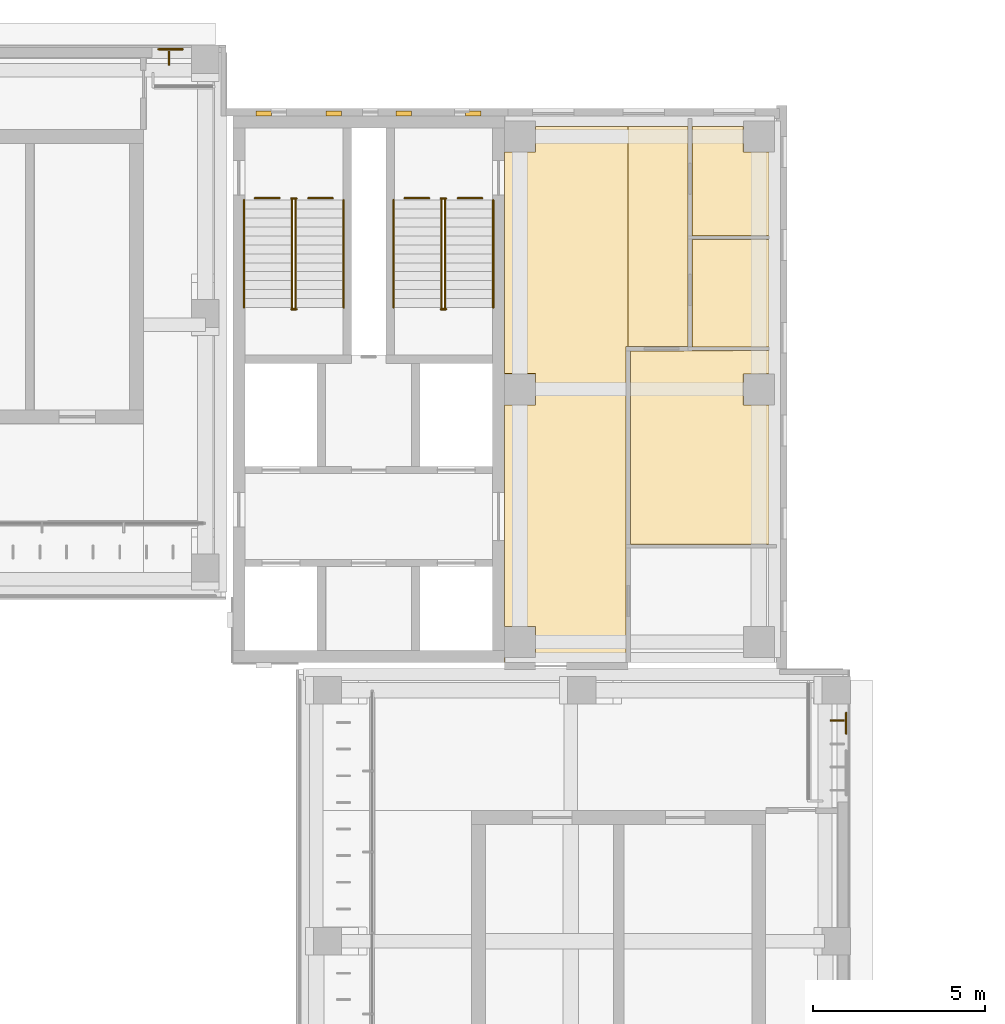
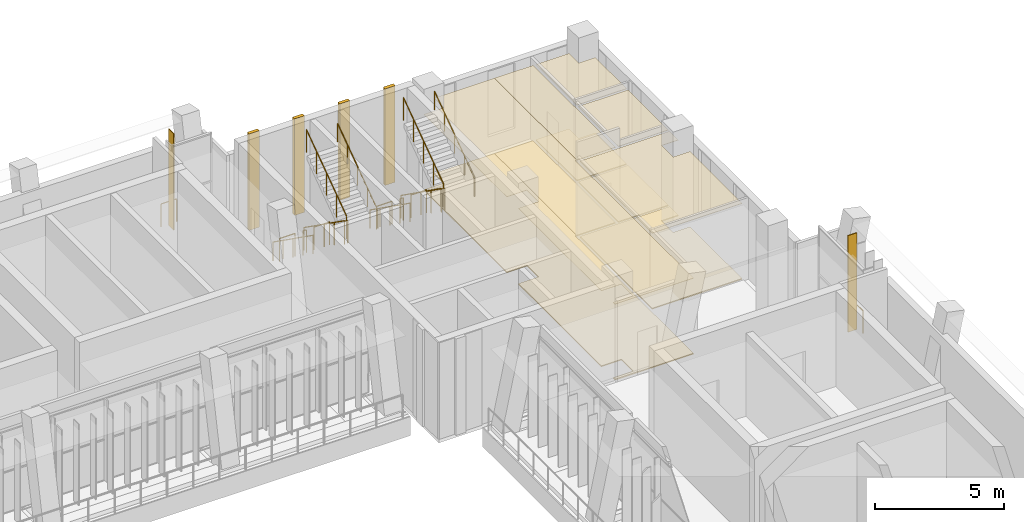
# One storey, part 141 of 141: 18 railings, 14 coverings, 2 shading devices.
"""IFC4 building model written with IfcOpenShell, lengths in metres."""

from ifc_helpers import new_model, si_unit, direction, frame, frame_2d, origin, origin_2d, place, context, subcontext, project, spatial, polyline, rectangle, circle, outline, extrude, material, layer, layer_set, type_object, element, save


model = new_model("IFC4")

# Units and contexts
model_context = context("Model", 3, precision=1e-05, world=origin(), true_north=direction((0.0, 1.0)))
body_context = subcontext(model_context, "Body", "Model", "MODEL_VIEW")
ifc_project = project(units=[si_unit("LENGTHUNIT", "METRE"), si_unit("AREAUNIT", "SQUARE_METRE"), si_unit("VOLUMEUNIT", "CUBIC_METRE"), si_unit("PLANEANGLEUNIT", "RADIAN"), si_unit("MASSUNIT", "GRAM", prefix="KILO")], contexts=[model_context])

# Site, building, storey
site_placement = place(None, origin())
site = spatial("IfcSite", under=ifc_project, at=site_placement, CompositionType="ELEMENT")
building_placement = place(site_placement, origin())
building = spatial("IfcBuilding", under=site, at=building_placement, Name="Lantern Court Media Centre", CompositionType="ELEMENT")
storey_placement = place(building_placement, frame((0.0, 0.0, 9.60009765625)))
storey = spatial("IfcBuildingStorey", under=building, at=storey_placement, Name="L02", CompositionType="ELEMENT", Elevation=9.60009765625)

# Coverings
ifc_material_1 = material(Name="Carpet")
ifc_layer_1 = layer(ifc_material_1, 0.050048828125)
ifc_layer_set_1 = layer_set([ifc_layer_1], Name="Carpet")
covering_type_1 = type_object("IfcCoveringType", Name="Carpet floor finish", PredefinedType="FLOORING", material=ifc_layer_set_1)
covering_1_placement = place(storey_placement, origin())
element("IfcCovering", 1, at=covering_1_placement, inside=storey, type_object=covering_type_1, Name="Broadcast Programming Office 03 floor finish", PredefinedType="FLOORING", context=body_context, shape_type="SweptSolid", body=[
    extrude(outline(polyline([(95.699951171875, 99.5458984375), (91.66748046875, 99.5458984375), (91.66748046875, 105.16259765625), (95.699951171875, 105.175048828125), (95.699951171875, 104.5048828125), (94.945068359375, 104.5), (94.946044921875, 103.596923828125), (95.699951171875, 103.594970703125), (95.699951171875, 99.5458984375)])), origin(), (0.0, 0.0, 1.0), 0.0498046875),
])
covering_2_placement = place(storey_placement, origin())
element("IfcCovering", 2, at=covering_2_placement, inside=storey, type_object=covering_type_1, Name="WC Male floor finish", PredefinedType="FLOORING", context=body_context, shape_type="SweptSolid", body=[
    extrude(outline(polyline([(95.699951171875, 108.52001953125), (93.467529296875, 108.52001953125), (93.467529296875, 111.699951171875), (94.945068359375, 111.699951171875), (94.946533203125, 110.946533203125), (95.699951171875, 110.945068359375), (95.699951171875, 108.52001953125)])), origin(), (0.0, 0.0, 1.0), 0.0498046875),
])
covering_3_placement = place(storey_placement, origin())
element("IfcCovering", 3, at=covering_3_placement, inside=storey, type_object=covering_type_1, Name="WC Female floor finish", PredefinedType="FLOORING", context=body_context, shape_type="SweptSolid", body=[
    extrude(outline(polyline([(95.699951171875, 105.284912109375), (93.467529296875, 105.284912109375), (93.467529296875, 108.409912109375), (95.699951171875, 108.409912109375), (95.699951171875, 105.284912109375)])), origin(), (0.0, 0.0, 1.0), 0.0498046875),
])

# Railings
ifc_material_2 = material(Name="Powder-coated steel", Category="steel")
railing_type_1 = type_object("IfcRailingType", Name="Floor edge guard 1100", PredefinedType="GUARDRAIL", material=ifc_material_2)
railing_1_placement = place(storey_placement, frame((85.10009765625, 109.609619140625, 0.0)))
element("IfcRailing", 4, at=railing_1_placement, inside=storey, type_object=railing_type_1, Name="L02 opening guard 77", PredefinedType="GUARDRAIL", context=body_context, shape_type="SweptSolid", body=[
    extrude(circle(Radius=0.02392578125, at=origin_2d()), frame((0.0, 0.0, 1.076171875), z_axis=(1.0, 0.0, 0.0), x_axis=(0.0, 1.0, 0.0)), (0.0, 0.0, 1.0), 0.70361328125),
    extrude(circle(Radius=0.02099609375, at=origin_2d()), origin(), (0.0, 0.0, 1.0), 1.052001953125),
    extrude(circle(Radius=0.02099609375, at=origin_2d()), frame((0.70361328125, 0.0, 0.0)), (0.0, 0.0, 1.0), 1.052001953125),
])
railing_2_placement = place(storey_placement, frame((86.646240234375, 109.609619140625, 0.0)))
element("IfcRailing", 5, at=railing_2_placement, inside=storey, type_object=railing_type_1, Name="L02 opening guard 78", PredefinedType="GUARDRAIL", context=body_context, shape_type="SweptSolid", body=[
    extrude(circle(Radius=0.02392578125, at=origin_2d()), frame((0.0, 0.0, 1.076171875), z_axis=(1.0, 0.0, 0.0), x_axis=(0.0, 1.0, 0.0)), (0.0, 0.0, 1.0), 0.703857421875),
    extrude(circle(Radius=0.02099609375, at=origin_2d()), origin(), (0.0, 0.0, 1.0), 1.052001953125),
    extrude(circle(Radius=0.02099609375, at=origin_2d()), frame((0.703857421875, 0.0, 0.0)), (0.0, 0.0, 1.0), 1.052001953125),
])
for number, where, name in (
    (6, (80.75, 109.609619140625, 0.0), "L02 opening guard 79"),
    (7, (82.29638671875, 109.609619140625, 0.0), "L02 opening guard 80"),
):
    element("IfcRailing", number, at=place(storey_placement, frame(where)), inside=storey, type_object=railing_type_1, Name=name, PredefinedType="GUARDRAIL", context=body_context, shape_type="SweptSolid", body=[
        extrude(circle(Radius=0.02392578125, at=origin_2d()), frame((0.0, 0.0, 1.076171875), z_axis=(1.0, 0.0, 0.0), x_axis=(0.0, 1.0, 0.0)), (0.0, 0.0, 1.0), 0.70361328125),
        extrude(circle(Radius=0.02099609375, at=origin_2d()), origin(), (0.0, 0.0, 1.0), 1.052001953125),
        extrude(circle(Radius=0.02099609375, at=origin_2d()), frame((0.70361328125, 0.0, 0.0)), (0.0, 0.0, 1.0), 1.052001953125),
    ])
railing_3_placement = place(storey_placement, frame((77.94091796875, 113.93994140625, 0.0)))
element("IfcRailing", 8, at=railing_3_placement, inside=storey, type_object=railing_type_1, Name="L02 edge guard 57", PredefinedType="GUARDRAIL", context=body_context, shape_type="SweptSolid", body=[
    extrude(circle(Radius=0.02392578125, at=origin_2d()), frame((0.0, 0.0, 1.076171875), z_axis=(1.0, 0.0, 0.0), x_axis=(0.0, 1.0, 0.0)), (0.0, 0.0, 1.0), 0.7001953125),
    extrude(circle(Radius=0.02099609375, at=origin_2d()), origin(), (0.0, 0.0, 1.0), 1.052001953125),
    extrude(circle(Radius=0.02099609375, at=origin_2d()), frame((0.7001953125, 0.0, 0.0)), (0.0, 0.0, 1.0), 1.052001953125),
])
railing_4_placement = place(storey_placement, frame((97.93994140625, 94.64111328125, 0.0)))
element("IfcRailing", 9, at=railing_4_placement, inside=storey, type_object=railing_type_1, Name="L02 edge guard 64", PredefinedType="GUARDRAIL", context=body_context, shape_type="SweptSolid", body=[
    extrude(circle(Radius=0.02392578125, at=origin_2d()), frame((0.0, 0.0, 1.076171875), z_axis=(0.0, -1.0, 0.0), x_axis=(1.0, 0.0, 0.0)), (0.0, 0.0, 1.0), 0.60009765625),
    extrude(circle(Radius=0.02099609375, at=origin_2d()), origin(), (0.0, 0.0, 1.0), 1.052001953125),
    extrude(circle(Radius=0.02099609375, at=origin_2d()), frame((0.0, -0.60009765625, 0.0)), (0.0, 0.0, 1.0), 1.052001953125),
])

# Coverings
ifc_material_3 = material(Name="Honed limestone cladding", Category="masonry")
ifc_layer_2 = layer(ifc_material_3, 0.14990234375)
ifc_layer_set_2 = layer_set([ifc_layer_2], Name="Honed limestone cladding")
covering_type_2 = type_object("IfcCoveringType", Name="Limestone pilaster cladding 150", PredefinedType="CLADDING", material=ifc_layer_set_2)
covering_4_placement = place(storey_placement, frame((80.77490234375, 112.074951171875, 0.0), z_axis=(0.0, 0.0, 1.0), x_axis=(1.0, 0.0, 0.0)))
element("IfcCovering", 10, at=covering_4_placement, inside=storey, type_object=covering_type_2, Name="Limestone pilaster rib", PredefinedType="CLADDING", context=body_context, shape_type="SweptSolid", body=[
    extrude(rectangle(XDim=0.4501953125, YDim=0.14990234375, at=frame_2d((0.22509765625, 0.0))), origin(), (0.0, 0.0, 1.0), 4.579833984375),
])
covering_5_placement = place(storey_placement, frame((82.808349609375, 112.074951171875, 0.0), z_axis=(0.0, 0.0, 1.0), x_axis=(1.0, 0.0, 0.0)))
element("IfcCovering", 11, at=covering_5_placement, inside=storey, type_object=covering_type_2, Name="Limestone pilaster rib", PredefinedType="CLADDING", context=body_context, shape_type="SweptSolid", body=[
    extrude(rectangle(XDim=0.449951171875, YDim=0.14990234375, at=frame_2d((0.22509765625, 0.0))), origin(), (0.0, 0.0, 1.0), 4.579833984375),
])
covering_6_placement = place(storey_placement, frame((84.841552734375, 112.074951171875, 0.0), z_axis=(0.0, 0.0, 1.0), x_axis=(1.0, 0.0, 0.0)))
element("IfcCovering", 12, at=covering_6_placement, inside=storey, type_object=covering_type_2, Name="Limestone pilaster rib", PredefinedType="CLADDING", context=body_context, shape_type="SweptSolid", body=[
    extrude(rectangle(XDim=0.4501953125, YDim=0.14990234375, at=frame_2d((0.22509765625, 0.0))), origin(), (0.0, 0.0, 1.0), 4.579833984375),
])
covering_7_placement = place(storey_placement, frame((86.875, 112.074951171875, 0.0), z_axis=(0.0, 0.0, 1.0), x_axis=(1.0, 0.0, 0.0)))
element("IfcCovering", 13, at=covering_7_placement, inside=storey, type_object=covering_type_2, Name="Limestone pilaster rib", PredefinedType="CLADDING", context=body_context, shape_type="SweptSolid", body=[
    extrude(rectangle(XDim=0.449951171875, YDim=0.14990234375, at=frame_2d((0.22509765625, 0.0))), origin(), (0.0, 0.0, 1.0), 4.579833984375),
])

# Railings
railing_type_2 = type_object("IfcRailingType", Name="Stair guard 1100", PredefinedType="GUARDRAIL", material=ifc_material_2)
railing_5_placement = place(storey_placement, frame((86.174072265625, 109.550048828125, 0.1845703125)))
element("IfcRailing", 14, at=railing_5_placement, inside=storey, type_object=railing_type_2, Name="L02 ST-NEA stair guard 1", PredefinedType="GUARDRAIL", context=body_context, shape_type="SweptSolid", body=[
    extrude(circle(Radius=0.02392578125, at=origin_2d()), frame((0.0, 0.0, 1.076171875), z_axis=(0.0, -0.815376961211, 0.578930402662), x_axis=(1.0, 0.0, 0.0)), (0.0, 0.0, 1.0), 3.82666015625),
    extrude(circle(Radius=0.02099609375, at=origin_2d()), origin(), (0.0, 0.0, 1.0), 1.052001953125),
    extrude(circle(Radius=0.02099609375, at=origin_2d()), frame((0.0, -0.780029296875, 0.5537109375)), (0.0, 0.0, 1.0), 1.052001953125),
    extrude(circle(Radius=0.02099609375, at=origin_2d()), frame((0.0, -1.56005859375, 1.107666015625)), (0.0, 0.0, 1.0), 1.052001953125),
    extrude(circle(Radius=0.02099609375, at=origin_2d()), frame((0.0, -2.340087890625, 1.66162109375)), (0.0, 0.0, 1.0), 1.052001953125),
    extrude(circle(Radius=0.02099609375, at=origin_2d()), frame((0.0, -3.1201171875, 2.21533203125)), (0.0, 0.0, 1.0), 1.052001953125),
])
railing_6_placement = place(storey_placement, frame((86.14990234375, 106.3798828125, 2.39990234375)))
element("IfcRailing", 15, at=railing_6_placement, inside=storey, type_object=railing_type_2, Name="L02 ST-NEA stair guard 2", PredefinedType="GUARDRAIL", context=body_context, shape_type="SweptSolid", body=[
    extrude(circle(Radius=0.02392578125, at=origin_2d()), frame((0.0, 0.0, 1.076171875), z_axis=(1.0, 0.0, 0.0), x_axis=(0.0, 1.0, 0.0)), (0.0, 0.0, 1.0), 0.150146484375),
    extrude(circle(Radius=0.02099609375, at=origin_2d()), origin(), (0.0, 0.0, 1.0), 1.052001953125),
    extrude(circle(Radius=0.02099609375, at=origin_2d()), frame((0.150146484375, 0.0, 0.0)), (0.0, 0.0, 1.0), 1.052001953125),
])
railing_7_placement = place(storey_placement, frame((86.27587890625, 106.429931640625, 2.58447265625)))
element("IfcRailing", 16, at=railing_7_placement, inside=storey, type_object=railing_type_2, Name="L02 ST-NEA stair guard 3", PredefinedType="GUARDRAIL", context=body_context, shape_type="SweptSolid", body=[
    extrude(circle(Radius=0.02392578125, at=origin_2d()), frame((0.0, 0.0, 1.076171875), z_axis=(0.0, 0.815376961211, 0.578930402662), x_axis=(-1.0, 0.0, 0.0)), (0.0, 0.0, 1.0), 3.82666015625),
    extrude(circle(Radius=0.02099609375, at=origin_2d()), origin(), (0.0, 0.0, 1.0), 1.052001953125),
    extrude(circle(Radius=0.02099609375, at=origin_2d()), frame((0.0, 0.780029296875, 0.5537109375)), (0.0, 0.0, 1.0), 1.052001953125),
    extrude(circle(Radius=0.02099609375, at=origin_2d()), frame((0.0, 1.56005859375, 1.107666015625)), (0.0, 0.0, 1.0), 1.052001953125),
    extrude(circle(Radius=0.02099609375, at=origin_2d()), frame((0.0, 2.340087890625, 1.66162109375)), (0.0, 0.0, 1.0), 1.052001953125),
    extrude(circle(Radius=0.02099609375, at=origin_2d()), frame((0.0, 3.1201171875, 2.21533203125)), (0.0, 0.0, 1.0), 1.052001953125),
])
railing_8_placement = place(storey_placement, frame((86.14990234375, 109.60009765625, 0.0)))
element("IfcRailing", 17, at=railing_8_placement, inside=storey, type_object=railing_type_2, Name="L02 ST-NEA stair guard 4", PredefinedType="GUARDRAIL", context=body_context, shape_type="SweptSolid", body=[
    extrude(circle(Radius=0.02392578125, at=origin_2d()), frame((0.0, 0.0, 1.076171875), z_axis=(1.0, 0.0, 0.0), x_axis=(0.0, 1.0, 0.0)), (0.0, 0.0, 1.0), 0.150146484375),
    extrude(circle(Radius=0.02099609375, at=origin_2d()), origin(), (0.0, 0.0, 1.0), 1.052001953125),
    extrude(circle(Radius=0.02099609375, at=origin_2d()), frame((0.150146484375, 0.0, 0.0)), (0.0, 0.0, 1.0), 1.052001953125),
])
railing_9_placement = place(storey_placement, frame((81.823974609375, 109.550048828125, 0.1845703125)))
element("IfcRailing", 18, at=railing_9_placement, inside=storey, type_object=railing_type_2, Name="L02 ST-NEB stair guard 1", PredefinedType="GUARDRAIL", context=body_context, shape_type="SweptSolid", body=[
    extrude(circle(Radius=0.02392578125, at=origin_2d()), frame((0.0, 0.0, 1.076171875), z_axis=(0.0, -0.815376961211, 0.578930402662), x_axis=(1.0, 0.0, 0.0)), (0.0, 0.0, 1.0), 3.82666015625),
    extrude(circle(Radius=0.02099609375, at=origin_2d()), origin(), (0.0, 0.0, 1.0), 1.052001953125),
    extrude(circle(Radius=0.02099609375, at=origin_2d()), frame((0.0, -0.780029296875, 0.5537109375)), (0.0, 0.0, 1.0), 1.052001953125),
    extrude(circle(Radius=0.02099609375, at=origin_2d()), frame((0.0, -1.56005859375, 1.107666015625)), (0.0, 0.0, 1.0), 1.052001953125),
    extrude(circle(Radius=0.02099609375, at=origin_2d()), frame((0.0, -2.340087890625, 1.66162109375)), (0.0, 0.0, 1.0), 1.052001953125),
    extrude(circle(Radius=0.02099609375, at=origin_2d()), frame((0.0, -3.1201171875, 2.21533203125)), (0.0, 0.0, 1.0), 1.052001953125),
])
railing_10_placement = place(storey_placement, frame((81.800048828125, 106.3798828125, 2.39990234375)))
element("IfcRailing", 19, at=railing_10_placement, inside=storey, type_object=railing_type_2, Name="L02 ST-NEB stair guard 2", PredefinedType="GUARDRAIL", context=body_context, shape_type="SweptSolid", body=[
    extrude(circle(Radius=0.02392578125, at=origin_2d()), frame((0.0, 0.0, 1.076171875), z_axis=(1.0, 0.0, 0.0), x_axis=(0.0, 1.0, 0.0)), (0.0, 0.0, 1.0), 0.14990234375),
    extrude(circle(Radius=0.02099609375, at=origin_2d()), origin(), (0.0, 0.0, 1.0), 1.052001953125),
    extrude(circle(Radius=0.02099609375, at=origin_2d()), frame((0.14990234375, 0.0, 0.0)), (0.0, 0.0, 1.0), 1.052001953125),
])
railing_11_placement = place(storey_placement, frame((81.926025390625, 106.429931640625, 2.58447265625)))
element("IfcRailing", 20, at=railing_11_placement, inside=storey, type_object=railing_type_2, Name="L02 ST-NEB stair guard 3", PredefinedType="GUARDRAIL", context=body_context, shape_type="SweptSolid", body=[
    extrude(circle(Radius=0.02392578125, at=origin_2d()), frame((0.0, 0.0, 1.076171875), z_axis=(0.0, 0.815376961211, 0.578930402662), x_axis=(-1.0, 0.0, 0.0)), (0.0, 0.0, 1.0), 3.82666015625),
    extrude(circle(Radius=0.02099609375, at=origin_2d()), origin(), (0.0, 0.0, 1.0), 1.052001953125),
    extrude(circle(Radius=0.02099609375, at=origin_2d()), frame((0.0, 0.780029296875, 0.5537109375)), (0.0, 0.0, 1.0), 1.052001953125),
    extrude(circle(Radius=0.02099609375, at=origin_2d()), frame((0.0, 1.56005859375, 1.107666015625)), (0.0, 0.0, 1.0), 1.052001953125),
    extrude(circle(Radius=0.02099609375, at=origin_2d()), frame((0.0, 2.340087890625, 1.66162109375)), (0.0, 0.0, 1.0), 1.052001953125),
    extrude(circle(Radius=0.02099609375, at=origin_2d()), frame((0.0, 3.1201171875, 2.21533203125)), (0.0, 0.0, 1.0), 1.052001953125),
])
railing_12_placement = place(storey_placement, frame((81.800048828125, 109.60009765625, 0.0)))
element("IfcRailing", 21, at=railing_12_placement, inside=storey, type_object=railing_type_2, Name="L02 ST-NEB stair guard 4", PredefinedType="GUARDRAIL", context=body_context, shape_type="SweptSolid", body=[
    extrude(circle(Radius=0.02392578125, at=origin_2d()), frame((0.0, 0.0, 1.076171875), z_axis=(1.0, 0.0, 0.0), x_axis=(0.0, 1.0, 0.0)), (0.0, 0.0, 1.0), 0.14990234375),
    extrude(circle(Radius=0.02099609375, at=origin_2d()), origin(), (0.0, 0.0, 1.0), 1.052001953125),
    extrude(circle(Radius=0.02099609375, at=origin_2d()), frame((0.14990234375, 0.0, 0.0)), (0.0, 0.0, 1.0), 1.052001953125),
])
railing_type_3 = type_object("IfcRailingType", Name="Stair handrail 900", PredefinedType="HANDRAIL", material=ifc_material_2)
railing_13_placement = place(storey_placement, frame((84.77587890625, 109.550048828125, 0.1845703125)))
element("IfcRailing", 22, at=railing_13_placement, inside=storey, type_object=railing_type_3, Name="L02 ST-NEA stair handrail 1", PredefinedType="HANDRAIL", context=body_context, shape_type="SweptSolid", body=[
    extrude(circle(Radius=0.02392578125, at=origin_2d()), frame((0.0, 0.0, 0.8759765625), z_axis=(0.0, -0.815376961211, 0.578930402662), x_axis=(1.0, 0.0, 0.0)), (0.0, 0.0, 1.0), 3.82666015625),
    extrude(circle(Radius=0.02099609375, at=origin_2d()), origin(), (0.0, 0.0, 1.0), 0.851806640625),
    extrude(circle(Radius=0.02099609375, at=origin_2d()), frame((0.0, -0.780029296875, 0.5537109375)), (0.0, 0.0, 1.0), 0.851806640625),
    extrude(circle(Radius=0.02099609375, at=origin_2d()), frame((0.0, -1.56005859375, 1.107666015625)), (0.0, 0.0, 1.0), 0.851806640625),
    extrude(circle(Radius=0.02099609375, at=origin_2d()), frame((0.0, -2.340087890625, 1.66162109375)), (0.0, 0.0, 1.0), 0.851806640625),
    extrude(circle(Radius=0.02099609375, at=origin_2d()), frame((0.0, -3.1201171875, 2.21533203125)), (0.0, 0.0, 1.0), 0.851806640625),
])
railing_14_placement = place(storey_placement, frame((87.674072265625, 106.429931640625, 2.58447265625)))
element("IfcRailing", 23, at=railing_14_placement, inside=storey, type_object=railing_type_3, Name="L02 ST-NEA stair handrail 2", PredefinedType="HANDRAIL", context=body_context, shape_type="SweptSolid", body=[
    extrude(circle(Radius=0.02392578125, at=origin_2d()), frame((0.0, 0.0, 0.8759765625), z_axis=(0.0, 0.815376961211, 0.578930402662), x_axis=(-1.0, 0.0, 0.0)), (0.0, 0.0, 1.0), 3.82666015625),
    extrude(circle(Radius=0.02099609375, at=origin_2d()), origin(), (0.0, 0.0, 1.0), 0.851806640625),
    extrude(circle(Radius=0.02099609375, at=origin_2d()), frame((0.0, 0.780029296875, 0.5537109375)), (0.0, 0.0, 1.0), 0.851806640625),
    extrude(circle(Radius=0.02099609375, at=origin_2d()), frame((0.0, 1.56005859375, 1.107666015625)), (0.0, 0.0, 1.0), 0.851806640625),
    extrude(circle(Radius=0.02099609375, at=origin_2d()), frame((0.0, 2.340087890625, 1.66162109375)), (0.0, 0.0, 1.0), 0.851806640625),
    extrude(circle(Radius=0.02099609375, at=origin_2d()), frame((0.0, 3.1201171875, 2.21533203125)), (0.0, 0.0, 1.0), 0.851806640625),
])
railing_15_placement = place(storey_placement, frame((80.426025390625, 109.550048828125, 0.1845703125)))
element("IfcRailing", 24, at=railing_15_placement, inside=storey, type_object=railing_type_3, Name="L02 ST-NEB stair handrail 1", PredefinedType="HANDRAIL", context=body_context, shape_type="SweptSolid", body=[
    extrude(circle(Radius=0.02392578125, at=origin_2d()), frame((0.0, 0.0, 0.8759765625), z_axis=(0.0, -0.815376961211, 0.578930402662), x_axis=(1.0, 0.0, 0.0)), (0.0, 0.0, 1.0), 3.82666015625),
    extrude(circle(Radius=0.02099609375, at=origin_2d()), origin(), (0.0, 0.0, 1.0), 0.851806640625),
    extrude(circle(Radius=0.02099609375, at=origin_2d()), frame((0.0, -0.780029296875, 0.5537109375)), (0.0, 0.0, 1.0), 0.851806640625),
    extrude(circle(Radius=0.02099609375, at=origin_2d()), frame((0.0, -1.56005859375, 1.107666015625)), (0.0, 0.0, 1.0), 0.851806640625),
    extrude(circle(Radius=0.02099609375, at=origin_2d()), frame((0.0, -2.340087890625, 1.66162109375)), (0.0, 0.0, 1.0), 0.851806640625),
    extrude(circle(Radius=0.02099609375, at=origin_2d()), frame((0.0, -3.1201171875, 2.21533203125)), (0.0, 0.0, 1.0), 0.851806640625),
])
railing_16_placement = place(storey_placement, frame((83.323974609375, 106.429931640625, 2.58447265625)))
element("IfcRailing", 25, at=railing_16_placement, inside=storey, type_object=railing_type_3, Name="L02 ST-NEB stair handrail 2", PredefinedType="HANDRAIL", context=body_context, shape_type="SweptSolid", body=[
    extrude(circle(Radius=0.02392578125, at=origin_2d()), frame((0.0, 0.0, 0.8759765625), z_axis=(0.0, 0.815376961211, 0.578930402662), x_axis=(-1.0, 0.0, 0.0)), (0.0, 0.0, 1.0), 3.82666015625),
    extrude(circle(Radius=0.02099609375, at=origin_2d()), origin(), (0.0, 0.0, 1.0), 0.851806640625),
    extrude(circle(Radius=0.02099609375, at=origin_2d()), frame((0.0, 0.780029296875, 0.5537109375)), (0.0, 0.0, 1.0), 0.851806640625),
    extrude(circle(Radius=0.02099609375, at=origin_2d()), frame((0.0, 1.56005859375, 1.107666015625)), (0.0, 0.0, 1.0), 0.851806640625),
    extrude(circle(Radius=0.02099609375, at=origin_2d()), frame((0.0, 2.340087890625, 1.66162109375)), (0.0, 0.0, 1.0), 0.851806640625),
    extrude(circle(Radius=0.02099609375, at=origin_2d()), frame((0.0, 3.1201171875, 2.21533203125)), (0.0, 0.0, 1.0), 0.851806640625),
])

# Coverings
ifc_material_4 = material(Name="Mineral fibre ceiling tile")
ifc_layer_3 = layer(ifc_material_4, 0.02001953125)
ifc_layer_set_3 = layer_set([ifc_layer_3], Name="Mineral fibre ceiling tile")
covering_type_3 = type_object("IfcCoveringType", Name="Suspended ceiling tile", PredefinedType="CEILING", material=ifc_layer_set_3)
covering_8_placement = place(storey_placement, frame((0.0, 0.0, 3.599853515625)))
element("IfcCovering", 26, at=covering_8_placement, inside=storey, type_object=covering_type_3, Name="Corridor ceiling", PredefinedType="CEILING", context=body_context, shape_type="SweptSolid", body=[
    extrude(outline(polyline([(91.60009765625, 111.699951171875), (91.60009765625, 105.29296875), (91.537109375, 105.29248046875), (91.537109375, 96.1005859375), (88.00048828125, 96.1005859375), (88.00048828125, 96.24951171875), (88.900390625, 96.25), (88.900390625, 97.150390625), (88.00048828125, 97.150390625), (88.00048828125, 103.599609375), (88.900390625, 103.60009765625), (88.900390625, 104.500244140625), (88.00048828125, 104.50048828125), (88.00048828125, 110.949462890625), (88.900390625, 110.94970703125), (88.900390625, 111.699951171875), (91.60009765625, 111.699951171875)])), origin(), (0.0, 0.0, 1.0), 0.02001953125),
])
covering_9_placement = place(storey_placement, frame((0.0, 0.0, 3.599853515625)))
element("IfcCovering", 27, at=covering_9_placement, inside=storey, type_object=covering_type_3, Name="Broadcast Programming Office 03 ceiling", PredefinedType="CEILING", context=body_context, shape_type="SweptSolid", body=[
    extrude(outline(polyline([(95.699951171875, 99.54150390625), (91.6630859375, 99.54150390625), (91.6630859375, 105.1669921875), (95.699951171875, 105.179443359375), (95.699951171875, 104.50048828125), (94.949462890625, 104.5), (94.94970703125, 103.599609375), (95.699951171875, 103.599609375), (95.699951171875, 99.54150390625)])), origin(), (0.0, 0.0, 1.0), 0.02001953125),
])
covering_10_placement = place(storey_placement, frame((0.0, 0.0, 3.599853515625)))
element("IfcCovering", 28, at=covering_10_placement, inside=storey, type_object=covering_type_3, Name="WC Lobby ceiling", PredefinedType="CEILING", context=body_context, shape_type="SweptSolid", body=[
    extrude(outline(polyline([(91.60009765625, 111.699951171875), (93.3369140625, 111.699951171875), (93.3369140625, 105.29296875), (91.60009765625, 105.29296875), (91.60009765625, 111.699951171875)])), origin(), (0.0, 0.0, 1.0), 0.02001953125),
])
covering_11_placement = place(storey_placement, frame((0.0, 0.0, 3.599853515625)))
element("IfcCovering", 29, at=covering_11_placement, inside=storey, type_object=covering_type_3, Name="WC Male ceiling", PredefinedType="CEILING", context=body_context, shape_type="SweptSolid", body=[
    extrude(outline(polyline([(95.699951171875, 108.515380859375), (93.462890625, 108.515380859375), (93.462890625, 111.699951171875), (94.949462890625, 111.699951171875), (94.94970703125, 110.94970703125), (95.699951171875, 110.949462890625), (95.699951171875, 108.515380859375)])), origin(), (0.0, 0.0, 1.0), 0.02001953125),
])
covering_12_placement = place(storey_placement, frame((0.0, 0.0, 3.599853515625)))
element("IfcCovering", 30, at=covering_12_placement, inside=storey, type_object=covering_type_3, Name="WC Female ceiling", PredefinedType="CEILING", context=body_context, shape_type="SweptSolid", body=[
    extrude(outline(polyline([(95.699951171875, 105.280517578125), (93.462890625, 105.280517578125), (93.462890625, 108.41455078125), (95.699951171875, 108.41455078125), (95.699951171875, 105.280517578125)])), origin(), (0.0, 0.0, 1.0), 0.02001953125),
])
ifc_material_5 = material(Name="Terrazzo")
ifc_layer_4 = layer(ifc_material_5, 0.050048828125)
ifc_layer_set_4 = layer_set([ifc_layer_4], Name="Terrazzo")
covering_type_4 = type_object("IfcCoveringType", Name="Terrazzo floor finish", PredefinedType="FLOORING", material=ifc_layer_set_4)
covering_13_placement = place(storey_placement, origin())
element("IfcCovering", 31, at=covering_13_placement, inside=storey, type_object=covering_type_4, Name="Corridor floor finish", PredefinedType="FLOORING", context=body_context, shape_type="SweptSolid", body=[
    extrude(outline(polyline([(91.60009765625, 111.699951171875), (91.60009765625, 105.297607421875), (91.532470703125, 105.29248046875), (91.532470703125, 96.10498046875), (88.0048828125, 96.10498046875), (88.0048828125, 96.2451171875), (88.905029296875, 96.25), (88.903564453125, 97.153564453125), (88.0048828125, 97.155029296875), (88.0048828125, 103.594970703125), (88.905029296875, 103.60009765625), (88.903564453125, 104.50341796875), (88.0048828125, 104.5048828125), (88.0048828125, 110.945068359375), (88.903076171875, 110.946044921875), (88.905029296875, 111.699951171875), (91.60009765625, 111.699951171875)])), origin(), (0.0, 0.0, 1.0), 0.0498046875),
])
covering_14_placement = place(storey_placement, origin())
element("IfcCovering", 32, at=covering_14_placement, inside=storey, type_object=covering_type_4, Name="WC Lobby floor finish", PredefinedType="FLOORING", context=body_context, shape_type="SweptSolid", body=[
    extrude(outline(polyline([(91.60009765625, 111.699951171875), (93.33251953125, 111.699951171875), (93.33251953125, 105.297607421875), (91.60009765625, 105.297607421875), (91.60009765625, 111.699951171875)])), origin(), (0.0, 0.0, 1.0), 0.0498046875),
])

# Shading devices
ifc_material_6 = material(Name="Bronze anodised aluminium louvre", Category="aluminium")
ifc_layer_5 = layer(ifc_material_6, 0.0400390625)
ifc_layer_set_5 = layer_set([ifc_layer_5], Name="Bronze anodised aluminium louvre")
shading_device_type = type_object("IfcShadingDeviceType", Name="Vertical louvre 40x400 full storey", PredefinedType="USERDEFINED", material=ifc_layer_set_5)
shading_device_1_placement = place(storey_placement, frame((78.25, 113.679931640625, -0.000244140625), z_axis=(0.0, 0.0, 1.0), x_axis=(1.0, 0.0, 0.0)))
element("IfcShadingDevice", 33, at=shading_device_1_placement, inside=storey, type_object=shading_device_type, Name="Vertical louvre N outer L02", ObjectType="VERTICAL LOUVRE", PredefinedType="USERDEFINED", context=body_context, shape_type="SweptSolid", body=[
    extrude(rectangle(XDim=0.0400390625, YDim=0.39990234375, at=origin_2d()), origin(), (0.0, 0.0, 1.0), 4.580078125),
])
shading_device_2_placement = place(storey_placement, frame((97.679931640625, 94.41259765625, -0.000244140625), z_axis=(0.0, 0.0, 1.0), x_axis=(1.0, 0.0, 0.0)))
element("IfcShadingDevice", 34, at=shading_device_2_placement, inside=storey, type_object=shading_device_type, Name="Vertical louvre E outer L02", ObjectType="VERTICAL LOUVRE", PredefinedType="USERDEFINED", context=body_context, shape_type="SweptSolid", body=[
    extrude(rectangle(XDim=0.39990234375, YDim=0.0400390625, at=origin_2d()), origin(), (0.0, 0.0, 1.0), 4.580078125),
])

save(model, "model.ifc")
